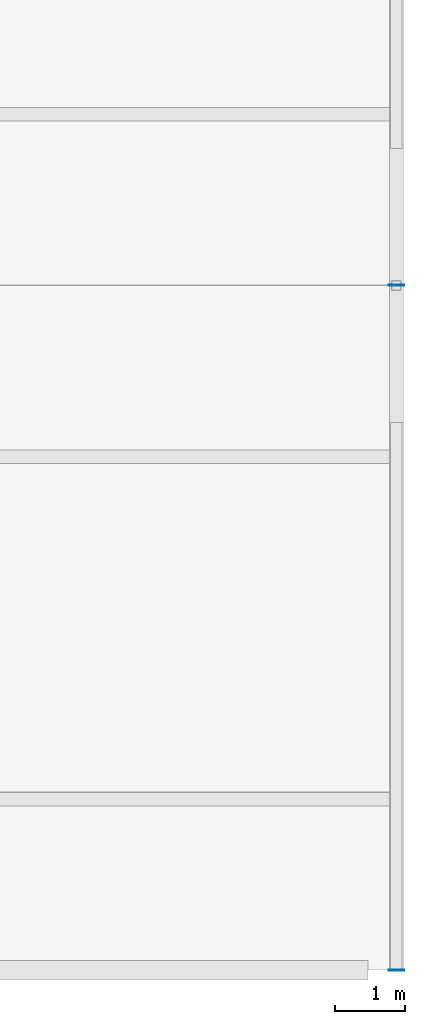
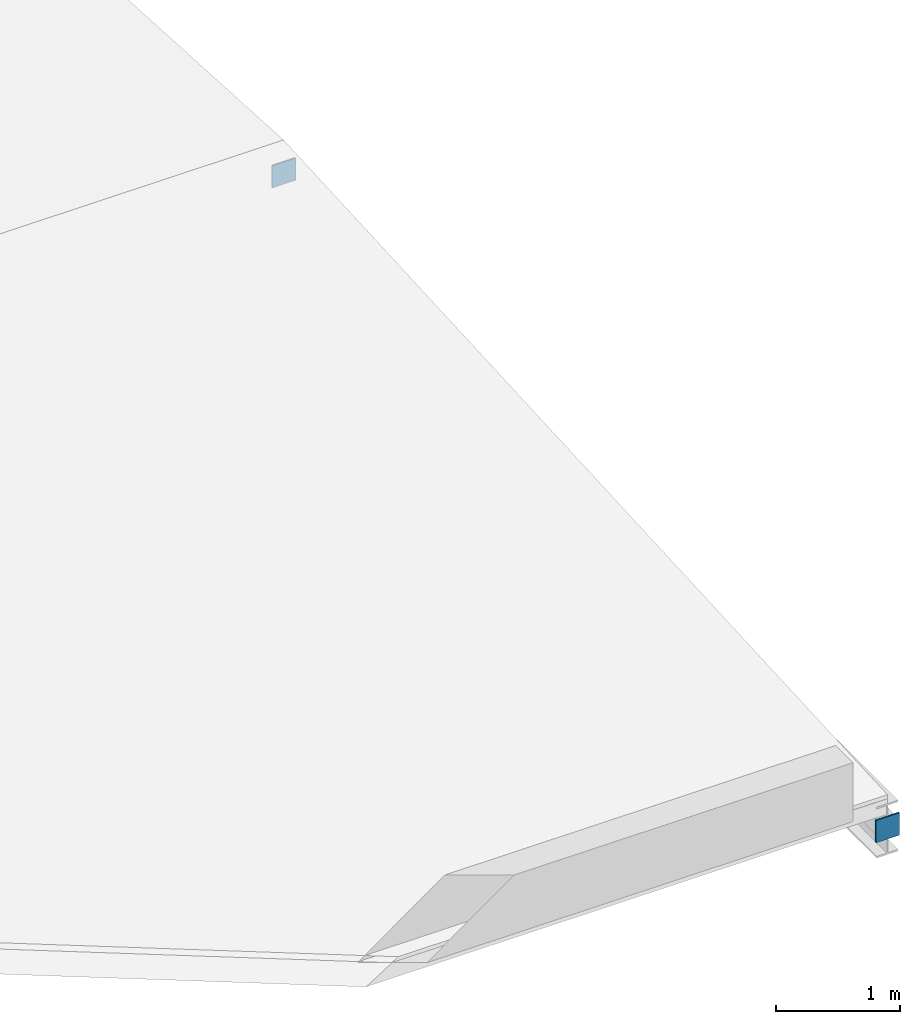
# One storey, part 10 of 13: 2 plates.
"""IFC4 building model written with IfcOpenShell, lengths in metres."""

import ifcopenshell
import ifcopenshell.guid

model = None  # the IFC model being written
_history = None  # IfcOwnerHistory: only IFC2X3 demands one
_inside = {}  # id of a spatial element -> (the spatial element, [elements in it])
_under = {}  # id of a project, library or spatial element -> (it, [spatial elements below it])
_declared = {}  # id of a project -> (the project, [libraries it declares])
_typed = {}  # id of a type object -> (the type object, [elements of that type])
_made_of = {}  # id of a material, layer set ... -> (it, [elements and type objects made of it])


def new_model(schema):
    """Start an empty IFC model of exactly this schema.

    Asked for "IFC4X3", IfcOpenShell would pick the latest addendum, in which some entities
    have other attributes; the version numbers below select the first issue.
    IFC2X3 requires an IfcOwnerHistory on every rooted entity: one is made here for all.
    """
    global model, _history
    if schema == "IFC4X3":
        model = ifcopenshell.file(schema_version=(4, 3, 0, 0))
    else:
        model = ifcopenshell.file(schema=schema)
    _inside.clear()
    _under.clear()
    _declared.clear()
    _typed.clear()
    _made_of.clear()
    _history = None
    if model.schema == "IFC2X3":
        org = make("IfcOrganization", Name="unknown")
        user = make(
            "IfcPersonAndOrganization",
            ThePerson=make("IfcPerson", FamilyName="unknown"),
            TheOrganization=org,
        )
        app = make(
            "IfcApplication",
            ApplicationDeveloper=org,
            Version="unknown",
            ApplicationFullName="unknown",
            ApplicationIdentifier="unknown",
        )
        _history = make(
            "IfcOwnerHistory",
            OwningUser=user,
            OwningApplication=app,
            ChangeAction="ADDED",
            CreationDate=0,
        )
    return model


def make(cls, **values):
    """One entity of the class cls with the attributes given. An attribute that is None is left unset."""
    return model.create_entity(
        cls, **{name: value for name, value in values.items() if value is not None}
    )


def rooted(cls, **values):
    """An entity with a GlobalId (a new one), such as an element, a storey or a relation."""
    return make(cls, GlobalId=ifcopenshell.guid.new(), OwnerHistory=_history, **values)


def si_unit(unit_type, name, prefix=None):
    """IfcSIUnit, for example si_unit("LENGTHUNIT", "METRE", prefix="MILLI")."""
    return make("IfcSIUnit", UnitType=unit_type, Prefix=prefix, Name=name)


def assignment(units):
    """IfcUnitAssignment: the units of a project."""
    return None if units is None else make("IfcUnitAssignment", Units=units)


def point(xyz):
    """IfcCartesianPoint."""
    return None if xyz is None else make("IfcCartesianPoint", Coordinates=xyz)


def direction(xyz):
    """IfcDirection."""
    return None if xyz is None else make("IfcDirection", DirectionRatios=xyz)


def frame(location, z_axis=None, x_axis=None):
    """IfcAxis2Placement3D, a coordinate frame: its origin and axes. An axis left out is left unset."""
    return make(
        "IfcAxis2Placement3D",
        Location=point(location),
        Axis=direction(z_axis),
        RefDirection=direction(x_axis),
    )


def frame_2d(location, x_axis=None):
    """IfcAxis2Placement2D, a coordinate frame in the plane: its origin and x axis."""
    return make(
        "IfcAxis2Placement2D", Location=point(location), RefDirection=direction(x_axis)
    )


def origin():
    """The frame at (0, 0, 0) with its axes left unset."""
    return frame((0.0, 0.0, 0.0))


def origin_2d():
    """The frame at (0, 0) in the plane with its x axis left unset."""
    return frame_2d((0.0, 0.0))


def place(relative_to, where):
    """IfcLocalPlacement: puts the frame where relative to a parent placement (None: the world)."""
    return make(
        "IfcLocalPlacement", PlacementRelTo=relative_to, RelativePlacement=where
    )


def context(
    kind, dimensions, precision=None, world=None, true_north=None, identifier=None
):
    """IfcGeometricRepresentationContext, for example the 3D "Model" context."""
    return make(
        "IfcGeometricRepresentationContext",
        ContextIdentifier=identifier,
        ContextType=kind,
        CoordinateSpaceDimension=dimensions,
        Precision=precision,
        WorldCoordinateSystem=world,
        TrueNorth=true_north,
    )


def subcontext(parent, identifier, kind, view, scale=None):
    """IfcGeometricRepresentationSubContext, for example "Body" below "Model"."""
    return make(
        "IfcGeometricRepresentationSubContext",
        ContextIdentifier=identifier,
        ContextType=kind,
        ParentContext=parent,
        TargetScale=scale,
        TargetView=view,
    )


def project(units=None, contexts=None):
    """IfcProject with its units and contexts."""
    return rooted(
        "IfcProject",
        Name="project",
        RepresentationContexts=contexts,
        UnitsInContext=assignment(units),
    )


def spatial(cls, under=None, at=None, **own):
    """A site, building, storey or space (cls), placed at a placement, below another one or the project."""
    s = rooted(cls, ObjectPlacement=at, **own)
    if under is not None:
        _under.setdefault(under.id(), (under, []))[1].append(s)
    return s


def profile(cls, at=None, kind="AREA", **sizes):
    """A parametric profile (cls). Its sizes go by their IFC names, for example OverallWidth=200.0."""
    return make(cls, ProfileType=kind, Position=at, **sizes)


def rectangle(**sizes):
    """IfcRectangleProfileDef."""
    return profile("IfcRectangleProfileDef", **sizes)


def extrude(swept, where, along, depth):
    """IfcExtrudedAreaSolid: the profile swept, set in the frame where, extruded along a direction by depth."""
    return make(
        "IfcExtrudedAreaSolid",
        SweptArea=swept,
        Position=where,
        ExtrudedDirection=direction(along),
        Depth=depth,
    )


def shape(context_of_items, identifier, shape_type, items):
    """IfcShapeRepresentation: the items that make up one representation, for example the "Body"."""
    return make(
        "IfcShapeRepresentation",
        ContextOfItems=context_of_items,
        RepresentationIdentifier=identifier,
        RepresentationType=shape_type,
        Items=items,
    )


def material(Name=None, Category=None):
    """IfcMaterial."""
    return make("IfcMaterial", Name=Name, Category=Category)


def layer(
    of_material, thickness, ventilated=None, Name=None, Category=None, Priority=None
):
    """IfcMaterialLayer: one layer of a wall or slab, of a material (None: an air gap)."""
    return make(
        "IfcMaterialLayer",
        Material=of_material,
        LayerThickness=thickness,
        IsVentilated=ventilated,
        Name=Name,
        Category=Category,
        Priority=Priority,
    )


def layer_set(layers, Name=None):
    """IfcMaterialLayerSet."""
    return make("IfcMaterialLayerSet", MaterialLayers=layers, LayerSetName=Name)


def made_of(thing, what):
    """Note that an element or type object is made of a material, layer set ...; save() writes the relation."""
    if what is not None:
        _made_of.setdefault(what.id(), (what, []))[1].append(thing)
    return thing


def type_object(cls, material=None, **own):
    """A type object (cls), such as IfcWallType, which elements share."""
    return made_of(rooted(cls, **own), material)


def element(
    cls,
    number,
    at=None,
    inside=None,
    cuts=None,
    type_object=None,
    material=None,
    context=None,
    identifier="Body",
    shape_type=None,
    held_by="IfcProductDefinitionShape",
    body=None,
    shapes=None,
    **own,
):
    """One element of the class cls, such as IfcWall. Its Tag is "e" and its number.

    at: its placement. inside: the storey or other place that contains it. cuts: it is an
    opening in that element (IfcRelVoidsElement). A single representation is given by context,
    identifier, shape_type and body (its items); several are given by shapes. held_by: the class
    of the entity that holds the representations. save() writes the other relations.
    """
    e = rooted(cls, Tag="e%d" % number, ObjectPlacement=at, **own)
    if body is not None:
        shapes = [shape(context, identifier, shape_type, body)]
    if shapes is not None:
        e.Representation = make(held_by, Representations=shapes)
    if inside is not None:
        _inside.setdefault(inside.id(), (inside, []))[1].append(e)
    if cuts is not None:
        rooted(
            "IfcRelVoidsElement", RelatingBuildingElement=cuts, RelatedOpeningElement=e
        )
    if type_object is not None:
        _typed.setdefault(type_object.id(), (type_object, []))[1].append(e)
    return made_of(e, material)


def aggregate(whole, parts):
    """IfcRelAggregates: a whole, such as a stair, and the parts it consists of."""
    return rooted("IfcRelAggregates", RelatingObject=whole, RelatedObjects=parts)


def save(model, path):
    """Write the relations noted so far, then the file.

    IfcRelAggregates (storeys below a building ...), IfcRelContainedInSpatialStructure (elements
    in a storey), IfcRelDefinesByType, IfcRelAssociatesMaterial and IfcRelDeclares: one each for
    every whole, place, type object, material and project.
    """
    for whole, parts in _under.values():
        aggregate(whole, parts)
    for where, things in _inside.values():
        rooted(
            "IfcRelContainedInSpatialStructure",
            RelatedElements=things,
            RelatingStructure=where,
        )
    for kind, things in _typed.values():
        rooted("IfcRelDefinesByType", RelatedObjects=things, RelatingType=kind)
    for what, things in _made_of.values():
        rooted("IfcRelAssociatesMaterial", RelatedObjects=things, RelatingMaterial=what)
    for by, libraries in _declared.values():
        rooted("IfcRelDeclares", RelatingContext=by, RelatedDefinitions=libraries)
    model.write(path)


model = new_model("IFC4")

# Units and contexts
model_context = context("Model", 3, precision=1e-05, world=origin(), true_north=direction((0.0, 1.0)))
body_context = subcontext(model_context, "Body", "Model", "MODEL_VIEW")
ifc_project = project(units=[si_unit("LENGTHUNIT", "METRE"), si_unit("AREAUNIT", "SQUARE_METRE"), si_unit("VOLUMEUNIT", "CUBIC_METRE"), si_unit("PLANEANGLEUNIT", "RADIAN"), si_unit("MASSUNIT", "GRAM", prefix="KILO")], contexts=[model_context])

# Site, building, storey
site_placement = place(None, origin())
site = spatial("IfcSite", under=ifc_project, at=site_placement, CompositionType="ELEMENT")
building_placement = place(site_placement, origin())
building = spatial("IfcBuilding", under=site, at=building_placement, Name="Celorna Specialist Clinic", CompositionType="ELEMENT")
storey_placement = place(building_placement, frame((0.0, 0.0, 27.300048828125)))
storey = spatial("IfcBuildingStorey", under=building, at=storey_placement, Name="RF", CompositionType="ELEMENT", Elevation=27.300048828125)

# Plates
ifc_material = material(Name="Steel S355", Category="steel")
ifc_layer = layer(ifc_material, 0.01611328125, Name="Steel S355")
ifc_layer_set = layer_set([ifc_layer], Name="Steel S355")
plate_type = type_object("IfcPlateType", Name="EP-04", PredefinedType="SHEET", material=ifc_layer_set)
for number, where, z_axis, x_axis, name in (
    (1, (93.60009765625, 96.5, -0.39208984375), (0.0, 0.0, 1.0), (1.0, 0.0, 0.0), "Rafter chord cap plate ROOF-V4-SOUTH"),
    (2, (93.60009765625, 106.25, 0.14794921875), (0.0, 0.0, 1.0), (1.0, 0.0, 0.0), "Rafter chord cap plate ROOF-V4-SOUTH"),
):
    element("IfcPlate", number, at=place(storey_placement, frame(where, z_axis=z_axis, x_axis=x_axis)), inside=storey, type_object=plate_type, Name=name, PredefinedType="SHEET", context=body_context, shape_type="SweptSolid", body=[
        extrude(rectangle(XDim=0.219970703125, YDim=0.013916015625, at=origin_2d()), origin(), (0.0, 0.0, 1.0), 0.219970703125),
    ])

save(model, "model.ifc")
